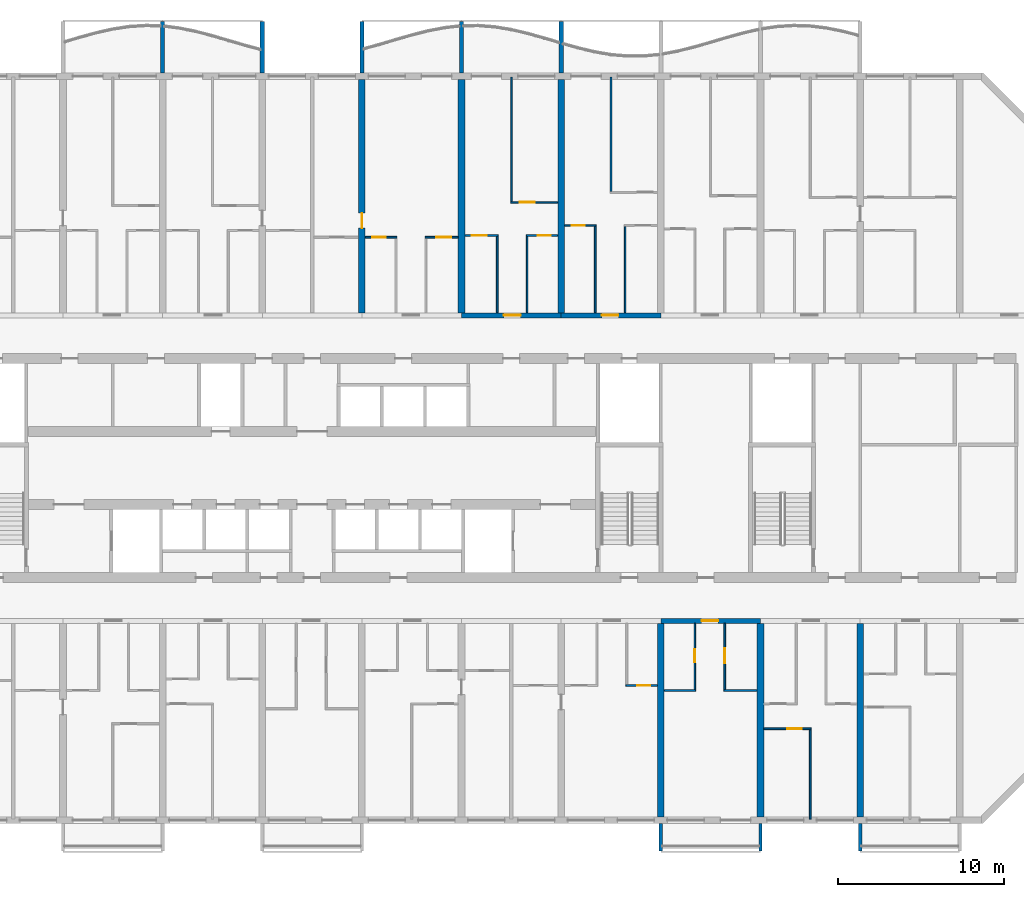
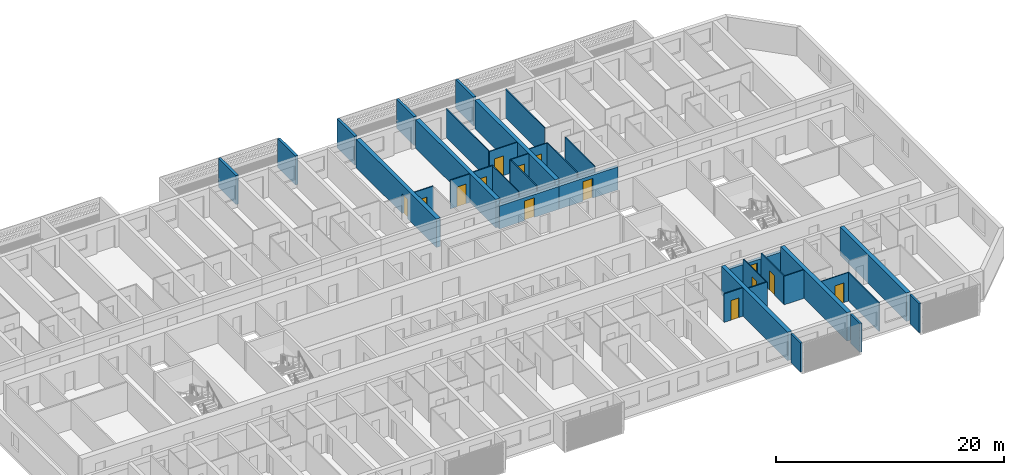
# One storey, part 13 of 39: 36 walls, 14 doors, 14 openings.
"""IFC4 building model written with IfcOpenShell, lengths in metres."""

from ifc_helpers import new_model, si_unit, direction, frame, frame_2d, origin, place, context, subcontext, project, spatial, polyline, rectangle, outline, extrude, source, transform, mapped, material, layer, layer_set, type_object, element, fill, save


model = new_model("IFC4")

# Units and contexts
model_context = context("Model", 3, precision=1e-05, world=origin(), true_north=direction((0.0, 1.0)))
body_context = subcontext(model_context, "Body", "Model", "MODEL_VIEW")
ifc_project = project(units=[si_unit("LENGTHUNIT", "METRE"), si_unit("AREAUNIT", "SQUARE_METRE"), si_unit("VOLUMEUNIT", "CUBIC_METRE"), si_unit("PLANEANGLEUNIT", "RADIAN"), si_unit("MASSUNIT", "GRAM", prefix="KILO")], contexts=[model_context])

# Site, building, storey
site_placement = place(None, origin())
site = spatial("IfcSite", under=ifc_project, at=site_placement, CompositionType="ELEMENT")
building_placement = place(site_placement, origin())
building = spatial("IfcBuilding", under=site, at=building_placement, Name="Poui Terraces", CompositionType="ELEMENT")
storey_placement = place(building_placement, frame((0.0, 0.0, 59.699951171875)))
storey = spatial("IfcBuildingStorey", under=building, at=storey_placement, Name="L16", CompositionType="ELEMENT", Elevation=59.699951171875)

# Wall, opening, door
ifc_material_1 = material(Name="Concrete 80 MPa", Category="concrete")
ifc_layer_1 = layer(ifc_material_1, 0.300048828125)
ifc_layer_set_1 = layer_set([ifc_layer_1], Name="Concrete 80 MPa")
wall_type_1 = type_object("IfcWallType", Name="CORRIDOR WALL 300 80MPa", PredefinedType="SHEAR", material=ifc_layer_set_1)
wall_1_placement = place(storey_placement, frame((72.0, 12.0, 0.0), z_axis=(0.0, 0.0, 1.0), x_axis=(1.0, 0.0, 0.0)))
wall_1 = element("IfcWall", 1, at=wall_1_placement, inside=storey, type_object=wall_type_1, Name="CORRIDOR WALL LINE B BAY 12", PredefinedType="SHEAR", context=body_context, shape_type="SweptSolid", body=[
    extrude(rectangle(XDim=6.0, YDim=0.300048828125, at=frame_2d((3.0, 0.0))), origin(), (0.0, 0.0, 1.0), 2.449951171875),
])
opening_1_placement = place(wall_1_placement, frame((2.449951171875, 0.0, 0.0)))
opening_1 = element("IfcOpeningElement", 2, at=opening_1_placement, cuts=wall_1, Name="Opening FD30S", PredefinedType="OPENING", context=body_context, shape_type="SweptSolid", body=[
    extrude(rectangle(XDim=1.0, YDim=2.10009765625, at=frame_2d((0.5, 1.050048828125))), frame((0.0, 0.16015625, 0.0), z_axis=(0.0, -1.0, 0.0), x_axis=(1.0, 0.0, 0.0)), (0.0, 0.0, 1.0), 0.320068359375),
])
ifc_material_2 = material(Name="Steel fire door", Category="steel")
door_type_1 = type_object("IfcDoorType", Name="FLAT ENTRANCE DOOR 1000 X 2100", OperationType="NOTDEFINED", PredefinedType="DOOR", material=ifc_material_2)
door_1_placement = place(opening_1_placement, frame((1.0, 0.0, 0.0), z_axis=(0.0, 0.0, 1.0), x_axis=(-1.0, 0.0, 0.0)))
door_1 = element("IfcDoor", 3, at=door_1_placement, inside=storey, type_object=door_type_1, Name="FLAT ENTRANCE DOOR 124", OperationType="SINGLE_SWING_RIGHT", OverallHeight=2.10009765625, OverallWidth=1.0, PredefinedType="DOOR", context=body_context, shape_type="SweptSolid", body=[
    extrude(rectangle(XDim=1.0, YDim=2.10009765625, at=frame_2d((0.5, 1.050048828125))), frame((0.0, 0.02490234375, 0.0), z_axis=(0.0, -1.0, 0.0), x_axis=(1.0, 0.0, 0.0)), (0.0, 0.0, 1.0), 0.050048828125),
])
fill(opening_1, door_1)

wall_2_placement = place(storey_placement, frame((60.0, 30.39990234375, 0.0), z_axis=(0.0, 0.0, 1.0), x_axis=(1.0, 0.0, 0.0)))
wall_2 = element("IfcWall", 4, at=wall_2_placement, inside=storey, type_object=wall_type_1, Name="CORRIDOR WALL LINE E BAY 10", PredefinedType="SHEAR", context=body_context, shape_type="SweptSolid", body=[
    extrude(rectangle(XDim=6.0, YDim=0.300048828125, at=frame_2d((3.0, 0.0))), origin(), (0.0, 0.0, 1.0), 2.449951171875),
])
opening_2_placement = place(wall_2_placement, frame((2.550048828125, 0.0, 0.0)))
opening_2 = element("IfcOpeningElement", 5, at=opening_2_placement, cuts=wall_2, Name="Opening FD30S", PredefinedType="OPENING", context=body_context, shape_type="SweptSolid", body=[
    extrude(rectangle(XDim=1.0, YDim=2.10009765625, at=frame_2d((0.5, 1.050048828125))), frame((0.0, 0.16015625, 0.0), z_axis=(0.0, -1.0, 0.0), x_axis=(1.0, 0.0, 0.0)), (0.0, 0.0, 1.0), 0.320068359375),
])
door_2_placement = place(opening_2_placement, origin())
door_2 = element("IfcDoor", 6, at=door_2_placement, inside=storey, type_object=door_type_1, Name="FLAT ENTRANCE DOOR 064", OperationType="SINGLE_SWING_RIGHT", OverallHeight=2.10009765625, OverallWidth=1.0, PredefinedType="DOOR", context=body_context, shape_type="SweptSolid", body=[
    extrude(rectangle(XDim=1.0, YDim=2.10009765625, at=frame_2d((0.5, 1.050048828125))), frame((0.0, 0.02490234375, 0.0), z_axis=(0.0, -1.0, 0.0), x_axis=(1.0, 0.0, 0.0)), (0.0, 0.0, 1.0), 0.050048828125),
])
fill(opening_2, door_2)

wall_3_placement = place(storey_placement, frame((66.0, 30.39990234375, 0.0), z_axis=(0.0, 0.0, 1.0), x_axis=(1.0, 0.0, 0.0)))
wall_3 = element("IfcWall", 7, at=wall_3_placement, inside=storey, type_object=wall_type_1, Name="CORRIDOR WALL LINE E BAY 11", PredefinedType="SHEAR", context=body_context, shape_type="SweptSolid", body=[
    extrude(rectangle(XDim=6.0, YDim=0.300048828125, at=frame_2d((3.0, 0.0))), origin(), (0.0, 0.0, 1.0), 2.449951171875),
])
opening_3_placement = place(wall_3_placement, frame((2.449951171875, 0.0, 0.0)))
opening_3 = element("IfcOpeningElement", 8, at=opening_3_placement, cuts=wall_3, Name="Opening FD30S", PredefinedType="OPENING", context=body_context, shape_type="SweptSolid", body=[
    extrude(rectangle(XDim=1.0, YDim=2.10009765625, at=frame_2d((0.5, 1.050048828125))), frame((0.0, 0.16015625, 0.0), z_axis=(0.0, -1.0, 0.0), x_axis=(1.0, 0.0, 0.0)), (0.0, 0.0, 1.0), 0.320068359375),
])
door_3_placement = place(opening_3_placement, origin())
door_3 = element("IfcDoor", 9, at=door_3_placement, inside=storey, type_object=door_type_1, Name="FLAT ENTRANCE DOOR 068", OperationType="SINGLE_SWING_LEFT", OverallHeight=2.10009765625, OverallWidth=1.0, PredefinedType="DOOR", context=body_context, shape_type="SweptSolid", body=[
    extrude(rectangle(XDim=1.0, YDim=2.10009765625, at=frame_2d((0.5, 1.050048828125))), frame((0.0, 0.02490234375, 0.0), z_axis=(0.0, -1.0, 0.0), x_axis=(1.0, 0.0, 0.0)), (0.0, 0.0, 1.0), 0.050048828125),
])
fill(opening_3, door_3)

ifc_layer_2 = layer(ifc_material_1, 0.39990234375)
ifc_layer_set_2 = layer_set([ifc_layer_2], Name="Concrete 80 MPa")
wall_type_2 = type_object("IfcWallType", Name="CROSS WALL 400 80MPa", PredefinedType="SHEAR", material=ifc_layer_set_2)
wall_4_placement = place(storey_placement, frame((54.0, 30.550048828125, 0.0), z_axis=(0.0, 0.0, 1.0), x_axis=(0.0, 1.0, 0.0)))
wall_4 = element("IfcWall", 10, at=wall_4_placement, inside=storey, type_object=wall_type_2, Name="CROSS WALL LINE 10 NORTH", PredefinedType="SHEAR", context=body_context, shape_type="SweptSolid", body=[
    extrude(rectangle(XDim=14.050048828125, YDim=0.39990234375, at=frame_2d((7.02490234375, 0.0))), origin(), (0.0, 0.0, 1.0), 3.050048828125),
])
opening_4_placement = place(wall_4_placement, frame((5.10009765625, 0.0, 0.0)))
opening_4 = element("IfcOpeningElement", 11, at=opening_4_placement, cuts=wall_4, Name="Opening D90", PredefinedType="OPENING", context=body_context, shape_type="SweptSolid", body=[
    extrude(rectangle(XDim=0.89990234375, YDim=2.10009765625, at=frame_2d((0.449951171875, 1.050048828125))), frame((0.0, 0.2099609375, 0.0), z_axis=(0.0, -1.0, 0.0), x_axis=(1.0, 0.0, 0.0)), (0.0, 0.0, 1.0), 0.419921875),
])
ifc_material_3 = material(Name="Solid core timber door", Category="wood")
door_type_2 = type_object("IfcDoorType", Name="INTERNAL DOOR 900 X 2100", OperationType="NOTDEFINED", PredefinedType="DOOR", material=ifc_material_3)
door_4_placement = place(opening_4_placement, origin())
door_4 = element("IfcDoor", 12, at=door_4_placement, inside=storey, type_object=door_type_2, Name="INTERNAL DOOR 059", OperationType="SINGLE_SWING_LEFT", OverallHeight=2.10009765625, OverallWidth=0.89990234375, PredefinedType="DOOR", context=body_context, shape_type="SweptSolid", body=[
    extrude(rectangle(XDim=0.89990234375, YDim=2.10009765625, at=frame_2d((0.449951171875, 1.050048828125))), frame((0.0, 0.02490234375, 0.0), z_axis=(0.0, -1.0, 0.0), x_axis=(1.0, 0.0, 0.0)), (0.0, 0.0, 1.0), 0.050048828125),
])
fill(opening_4, door_4)

# Walls
for number, where, z_axis, x_axis, name in (
    (13, (60.0, 30.550048828125, 0.0), (0.0, 0.0, 1.0), (0.0, 1.0, 0.0), "CROSS WALL LINE 11 NORTH"),
    (14, (66.0, 30.550048828125, 0.0), (0.0, 0.0, 1.0), (0.0, 1.0, 0.0), "CROSS WALL LINE 12 NORTH"),
):
    element("IfcWall", number, at=place(storey_placement, frame(where, z_axis=z_axis, x_axis=x_axis)), inside=storey, type_object=wall_type_2, Name=name, PredefinedType="SHEAR", context=body_context, shape_type="SweptSolid", body=[
        extrude(rectangle(XDim=14.050048828125, YDim=0.39990234375, at=frame_2d((7.02490234375, 0.0))), origin(), (0.0, 0.0, 1.0), 3.050048828125),
    ])
for number, where, z_axis, x_axis, name in (
    (15, (72.0, 0.199951171875, 0.0), (0.0, 0.0, 1.0), (0.0, 1.0, 0.0), "CROSS WALL LINE 13 SOUTH"),
    (16, (78.0, 0.199951171875, 0.0), (0.0, 0.0, 1.0), (0.0, 1.0, 0.0), "CROSS WALL LINE 14 SOUTH"),
    (17, (84.0, 0.199951171875, 0.0), (0.0, 0.0, 1.0), (0.0, 1.0, 0.0), "CROSS WALL LINE 15 SOUTH"),
):
    element("IfcWall", number, at=place(storey_placement, frame(where, z_axis=z_axis, x_axis=x_axis)), inside=storey, type_object=wall_type_2, Name=name, PredefinedType="SHEAR", context=body_context, shape_type="SweptSolid", body=[
        extrude(rectangle(XDim=11.650146484375, YDim=0.39990234375, at=frame_2d((5.8251953125, 0.0))), origin(), (0.0, 0.0, 1.0), 3.050048828125),
    ])

# Wall, opening, door
ifc_material_4 = material(Name="Plasterboard partition")
ifc_layer_3 = layer(ifc_material_4, 0.10009765625)
ifc_layer_set_3 = layer_set([ifc_layer_3], Name="Plasterboard partition")
wall_type_3 = type_object("IfcWallType", Name="FLAT PARTITION 100", PredefinedType="PARTITIONING", material=ifc_layer_set_3)
wall_5_placement = place(storey_placement, frame((78.2099609375, 5.5, 0.0), z_axis=(0.0, 0.0, 1.0), x_axis=(1.0, 0.0, 0.0)))
wall_5 = element("IfcWall", 18, at=wall_5_placement, inside=storey, type_object=wall_type_3, Name="FLAT PARTITION 100", PredefinedType="PARTITIONING", context=body_context, shape_type="SweptSolid", body=[
    extrude(rectangle(XDim=2.840087890625, YDim=0.10009765625, at=frame_2d((1.419921875, 0.0))), origin(), (0.0, 0.0, 1.0), 3.050048828125),
])
opening_5_placement = place(wall_5_placement, frame((1.389892578125, 0.0, 0.0)))
opening_5 = element("IfcOpeningElement", 19, at=opening_5_placement, cuts=wall_5, Name="Opening D90", PredefinedType="OPENING", context=body_context, shape_type="SweptSolid", body=[
    extrude(rectangle(XDim=0.89990234375, YDim=2.10009765625, at=frame_2d((0.449951171875, 1.050048828125))), frame((0.0, 0.06005859375, 0.0), z_axis=(0.0, -1.0, 0.0), x_axis=(1.0, 0.0, 0.0)), (0.0, 0.0, 1.0), 0.1201171875),
])
door_5_placement = place(opening_5_placement, origin())
door_5 = element("IfcDoor", 20, at=door_5_placement, inside=storey, type_object=door_type_2, Name="INTERNAL DOOR 127", OperationType="SINGLE_SWING_LEFT", OverallHeight=2.10009765625, OverallWidth=0.89990234375, PredefinedType="DOOR", context=body_context, shape_type="SweptSolid", body=[
    extrude(rectangle(XDim=0.89990234375, YDim=2.10009765625, at=frame_2d((0.449951171875, 1.050048828125))), frame((0.0, 0.02490234375, 0.0), z_axis=(0.0, -1.0, 0.0), x_axis=(1.0, 0.0, 0.0)), (0.0, 0.0, 1.0), 0.050048828125),
])
fill(opening_5, door_5)

# Walls
wall_6_placement = place(storey_placement, frame((72.2099609375, 7.800048828125, 0.0), z_axis=(0.0, 0.0, 1.0), x_axis=(1.0, 0.0, 0.0)))
element("IfcWall", 21, at=wall_6_placement, inside=storey, type_object=wall_type_3, Name="FLAT PARTITION 100", PredefinedType="PARTITIONING", context=body_context, shape_type="SweptSolid", body=[
    extrude(rectangle(XDim=1.89013671875, YDim=0.10009765625, at=frame_2d((0.945068359375, 0.0))), origin(), (0.0, 0.0, 1.0), 3.050048828125),
])
wall_7_placement = place(storey_placement, frame((75.800048828125, 7.800048828125, 0.0), z_axis=(0.0, 0.0, 1.0), x_axis=(1.0, 0.0, 0.0)))
element("IfcWall", 22, at=wall_7_placement, inside=storey, type_object=wall_type_3, Name="FLAT PARTITION 100", PredefinedType="PARTITIONING", context=body_context, shape_type="SweptSolid", body=[
    extrude(rectangle(XDim=1.989990234375, YDim=0.10009765625, at=frame_2d((0.9951171875, 0.0))), origin(), (0.0, 0.0, 1.0), 3.050048828125),
])

# Wall, opening, door
wall_8_placement = place(storey_placement, frame((69.89990234375, 8.10009765625, 0.0), z_axis=(0.0, 0.0, 1.0), x_axis=(1.0, 0.0, 0.0)))
wall_8 = element("IfcWall", 23, at=wall_8_placement, inside=storey, type_object=wall_type_3, Name="FLAT PARTITION 100", PredefinedType="PARTITIONING", context=body_context, shape_type="SweptSolid", body=[
    extrude(rectangle(XDim=1.89013671875, YDim=0.10009765625, at=frame_2d((0.945068359375, 0.0))), origin(), (0.0, 0.0, 1.0), 3.050048828125),
])
opening_6_placement = place(wall_8_placement, frame((0.675048828125, 0.0, 0.0)))
opening_6 = element("IfcOpeningElement", 24, at=opening_6_placement, cuts=wall_8, Name="Opening D80", PredefinedType="OPENING", context=body_context, shape_type="SweptSolid", body=[
    extrude(rectangle(XDim=0.800048828125, YDim=2.10009765625, at=frame_2d((0.39990234375, 1.050048828125))), frame((0.0, 0.06005859375, 0.0), z_axis=(0.0, -1.0, 0.0), x_axis=(1.0, 0.0, 0.0)), (0.0, 0.0, 1.0), 0.1201171875),
])
door_type_3 = type_object("IfcDoorType", Name="BATHROOM, LAUNDRY AND STORE DOOR 800 X 2100", OperationType="NOTDEFINED", PredefinedType="DOOR", material=ifc_material_3)
door_6_placement = place(opening_6_placement, origin())
door_6 = element("IfcDoor", 25, at=door_6_placement, inside=storey, type_object=door_type_3, Name="BATHROOM, LAUNDRY AND STORE DOOR 122", OperationType="SINGLE_SWING_RIGHT", OverallHeight=2.10009765625, OverallWidth=0.800048828125, PredefinedType="DOOR", context=body_context, shape_type="SweptSolid", body=[
    extrude(rectangle(XDim=0.800048828125, YDim=2.10009765625, at=frame_2d((0.39990234375, 1.050048828125))), frame((0.0, 0.02490234375, 0.0), z_axis=(0.0, -1.0, 0.0), x_axis=(1.0, 0.0, 0.0)), (0.0, 0.0, 1.0), 0.050048828125),
])
fill(opening_6, door_6)

wall_9_placement = place(storey_placement, frame((54.2099609375, 35.10009765625, 0.0), z_axis=(0.0, 0.0, 1.0), x_axis=(1.0, 0.0, 0.0)))
wall_9 = element("IfcWall", 26, at=wall_9_placement, inside=storey, type_object=wall_type_3, Name="FLAT PARTITION 100", PredefinedType="PARTITIONING", context=body_context, shape_type="SweptSolid", body=[
    extrude(rectangle(XDim=1.89013671875, YDim=0.10009765625, at=frame_2d((0.945068359375, 0.0))), origin(), (0.0, 0.0, 1.0), 3.050048828125),
])
opening_7_placement = place(wall_9_placement, frame((0.4150390625, 0.0, 0.0)))
opening_7 = element("IfcOpeningElement", 27, at=opening_7_placement, cuts=wall_9, Name="Opening D80", PredefinedType="OPENING", context=body_context, shape_type="SweptSolid", body=[
    extrude(rectangle(XDim=0.800048828125, YDim=2.10009765625, at=frame_2d((0.39990234375, 1.050048828125))), frame((0.0, 0.06005859375, 0.0), z_axis=(0.0, -1.0, 0.0), x_axis=(1.0, 0.0, 0.0)), (0.0, 0.0, 1.0), 0.1201171875),
])
door_7_placement = place(opening_7_placement, frame((0.800048828125, 0.0, 0.0), z_axis=(0.0, 0.0, 1.0), x_axis=(-1.0, 0.0, 0.0)))
door_7 = element("IfcDoor", 28, at=door_7_placement, inside=storey, type_object=door_type_3, Name="BATHROOM, LAUNDRY AND STORE DOOR 060", OperationType="SINGLE_SWING_LEFT", OverallHeight=2.10009765625, OverallWidth=0.800048828125, PredefinedType="DOOR", context=body_context, shape_type="SweptSolid", body=[
    extrude(rectangle(XDim=0.800048828125, YDim=2.10009765625, at=frame_2d((0.39990234375, 1.050048828125))), frame((0.0, 0.02490234375, 0.0), z_axis=(0.0, -1.0, 0.0), x_axis=(1.0, 0.0, 0.0)), (0.0, 0.0, 1.0), 0.050048828125),
])
fill(opening_7, door_7)

wall_10_placement = place(storey_placement, frame((57.800048828125, 35.10009765625, 0.0), z_axis=(0.0, 0.0, 1.0), x_axis=(1.0, 0.0, 0.0)))
wall_10 = element("IfcWall", 29, at=wall_10_placement, inside=storey, type_object=wall_type_3, Name="FLAT PARTITION 100", PredefinedType="PARTITIONING", context=body_context, shape_type="SweptSolid", body=[
    extrude(rectangle(XDim=1.989990234375, YDim=0.10009765625, at=frame_2d((0.9951171875, 0.0))), origin(), (0.0, 0.0, 1.0), 3.050048828125),
])
opening_8_placement = place(wall_10_placement, frame((0.675048828125, 0.0, 0.0)))
opening_8 = element("IfcOpeningElement", 30, at=opening_8_placement, cuts=wall_10, Name="Opening D90", PredefinedType="OPENING", context=body_context, shape_type="SweptSolid", body=[
    extrude(rectangle(XDim=0.89990234375, YDim=2.10009765625, at=frame_2d((0.449951171875, 1.050048828125))), frame((0.0, 0.06005859375, 0.0), z_axis=(0.0, -1.0, 0.0), x_axis=(1.0, 0.0, 0.0)), (0.0, 0.0, 1.0), 0.1201171875),
])
door_8_placement = place(opening_8_placement, frame((0.89990234375, 0.0, 0.0), z_axis=(0.0, 0.0, 1.0), x_axis=(-1.0, 0.0, 0.0)))
door_8 = element("IfcDoor", 31, at=door_8_placement, inside=storey, type_object=door_type_2, Name="INTERNAL DOOR 062", OperationType="SINGLE_SWING_RIGHT", OverallHeight=2.10009765625, OverallWidth=0.89990234375, PredefinedType="DOOR", context=body_context, shape_type="SweptSolid", body=[
    extrude(rectangle(XDim=0.89990234375, YDim=2.10009765625, at=frame_2d((0.449951171875, 1.050048828125))), frame((0.0, 0.02490234375, 0.0), z_axis=(0.0, -1.0, 0.0), x_axis=(1.0, 0.0, 0.0)), (0.0, 0.0, 1.0), 0.050048828125),
])
fill(opening_8, door_8)

wall_11_placement = place(storey_placement, frame((60.2099609375, 35.199951171875, 0.0), z_axis=(0.0, 0.0, 1.0), x_axis=(1.0, 0.0, 0.0)))
wall_11 = element("IfcWall", 32, at=wall_11_placement, inside=storey, type_object=wall_type_3, Name="FLAT PARTITION 100", PredefinedType="PARTITIONING", context=body_context, shape_type="SweptSolid", body=[
    extrude(rectangle(XDim=1.989990234375, YDim=0.10009765625, at=frame_2d((0.9951171875, 0.0))), origin(), (0.0, 0.0, 1.0), 3.050048828125),
])
opening_9_placement = place(wall_11_placement, frame((0.4150390625, 0.0, 0.0)))
opening_9 = element("IfcOpeningElement", 33, at=opening_9_placement, cuts=wall_11, Name="Opening D90", PredefinedType="OPENING", context=body_context, shape_type="SweptSolid", body=[
    extrude(rectangle(XDim=0.89990234375, YDim=2.10009765625, at=frame_2d((0.449951171875, 1.050048828125))), frame((0.0, 0.06005859375, 0.0), z_axis=(0.0, -1.0, 0.0), x_axis=(1.0, 0.0, 0.0)), (0.0, 0.0, 1.0), 0.1201171875),
])
door_9_placement = place(opening_9_placement, frame((0.89990234375, 0.0, 0.0), z_axis=(0.0, 0.0, 1.0), x_axis=(-1.0, 0.0, 0.0)))
door_9 = element("IfcDoor", 34, at=door_9_placement, inside=storey, type_object=door_type_2, Name="INTERNAL DOOR 063", OperationType="SINGLE_SWING_LEFT", OverallHeight=2.10009765625, OverallWidth=0.89990234375, PredefinedType="DOOR", context=body_context, shape_type="SweptSolid", body=[
    extrude(rectangle(XDim=0.89990234375, YDim=2.10009765625, at=frame_2d((0.449951171875, 1.050048828125))), frame((0.0, 0.02490234375, 0.0), z_axis=(0.0, -1.0, 0.0), x_axis=(1.0, 0.0, 0.0)), (0.0, 0.0, 1.0), 0.050048828125),
])
fill(opening_9, door_9)

wall_12_placement = place(storey_placement, frame((63.89990234375, 35.199951171875, 0.0), z_axis=(0.0, 0.0, 1.0), x_axis=(1.0, 0.0, 0.0)))
wall_12 = element("IfcWall", 35, at=wall_12_placement, inside=storey, type_object=wall_type_3, Name="FLAT PARTITION 100", PredefinedType="PARTITIONING", context=body_context, shape_type="SweptSolid", body=[
    extrude(rectangle(XDim=1.89013671875, YDim=0.10009765625, at=frame_2d((0.945068359375, 0.0))), origin(), (0.0, 0.0, 1.0), 3.050048828125),
])
opening_10_placement = place(wall_12_placement, frame((0.675048828125, 0.0, 0.0)))
opening_10 = element("IfcOpeningElement", 36, at=opening_10_placement, cuts=wall_12, Name="Opening D80", PredefinedType="OPENING", context=body_context, shape_type="SweptSolid", body=[
    extrude(rectangle(XDim=0.800048828125, YDim=2.10009765625, at=frame_2d((0.39990234375, 1.050048828125))), frame((0.0, 0.06005859375, 0.0), z_axis=(0.0, -1.0, 0.0), x_axis=(1.0, 0.0, 0.0)), (0.0, 0.0, 1.0), 0.1201171875),
])
door_10_placement = place(opening_10_placement, frame((0.800048828125, 0.0, 0.0), z_axis=(0.0, 0.0, 1.0), x_axis=(-1.0, 0.0, 0.0)))
door_10 = element("IfcDoor", 37, at=door_10_placement, inside=storey, type_object=door_type_3, Name="BATHROOM, LAUNDRY AND STORE DOOR 066", OperationType="SINGLE_SWING_RIGHT", OverallHeight=2.10009765625, OverallWidth=0.800048828125, PredefinedType="DOOR", context=body_context, shape_type="SweptSolid", body=[
    extrude(rectangle(XDim=0.800048828125, YDim=2.10009765625, at=frame_2d((0.39990234375, 1.050048828125))), frame((0.0, 0.02490234375, 0.0), z_axis=(0.0, -1.0, 0.0), x_axis=(1.0, 0.0, 0.0)), (0.0, 0.0, 1.0), 0.050048828125),
])
fill(opening_10, door_10)

wall_13_placement = place(storey_placement, frame((66.2099609375, 35.800048828125, 0.0), z_axis=(0.0, 0.0, 1.0), x_axis=(1.0, 0.0, 0.0)))
wall_13 = element("IfcWall", 38, at=wall_13_placement, inside=storey, type_object=wall_type_3, Name="FLAT PARTITION 100", PredefinedType="PARTITIONING", context=body_context, shape_type="SweptSolid", body=[
    extrude(rectangle(XDim=1.89013671875, YDim=0.10009765625, at=frame_2d((0.945068359375, 0.0))), origin(), (0.0, 0.0, 1.0), 3.050048828125),
])
opening_11_placement = place(wall_13_placement, frame((0.4150390625, 0.0, 0.0)))
opening_11 = element("IfcOpeningElement", 39, at=opening_11_placement, cuts=wall_13, Name="Opening D80", PredefinedType="OPENING", context=body_context, shape_type="SweptSolid", body=[
    extrude(rectangle(XDim=0.800048828125, YDim=2.10009765625, at=frame_2d((0.39990234375, 1.050048828125))), frame((0.0, 0.06005859375, 0.0), z_axis=(0.0, -1.0, 0.0), x_axis=(1.0, 0.0, 0.0)), (0.0, 0.0, 1.0), 0.1201171875),
])
door_11_placement = place(opening_11_placement, frame((0.800048828125, 0.0, 0.0), z_axis=(0.0, 0.0, 1.0), x_axis=(-1.0, 0.0, 0.0)))
door_11 = element("IfcDoor", 40, at=door_11_placement, inside=storey, type_object=door_type_3, Name="BATHROOM, LAUNDRY AND STORE DOOR 067", OperationType="SINGLE_SWING_RIGHT", OverallHeight=2.10009765625, OverallWidth=0.800048828125, PredefinedType="DOOR", context=body_context, shape_type="SweptSolid", body=[
    extrude(rectangle(XDim=0.800048828125, YDim=2.10009765625, at=frame_2d((0.39990234375, 1.050048828125))), frame((0.0, 0.02490234375, 0.0), z_axis=(0.0, -1.0, 0.0), x_axis=(1.0, 0.0, 0.0)), (0.0, 0.0, 1.0), 0.050048828125),
])
fill(opening_11, door_11)

wall_14_placement = place(storey_placement, frame((62.949951171875, 37.199951171875, 0.0), z_axis=(0.0, 0.0, 1.0), x_axis=(1.0, 0.0, 0.0)))
wall_14 = element("IfcWall", 41, at=wall_14_placement, inside=storey, type_object=wall_type_3, Name="FLAT PARTITION 100", PredefinedType="PARTITIONING", context=body_context, shape_type="SweptSolid", body=[
    extrude(rectangle(XDim=2.840087890625, YDim=0.10009765625, at=frame_2d((1.419921875, 0.0))), origin(), (0.0, 0.0, 1.0), 3.050048828125),
])
opening_12_placement = place(wall_14_placement, frame((0.550048828125, 0.0, 0.0)))
opening_12 = element("IfcOpeningElement", 42, at=opening_12_placement, cuts=wall_14, Name="Opening D90", PredefinedType="OPENING", context=body_context, shape_type="SweptSolid", body=[
    extrude(rectangle(XDim=0.89990234375, YDim=2.10009765625, at=frame_2d((0.449951171875, 1.050048828125))), frame((0.0, 0.06005859375, 0.0), z_axis=(0.0, -1.0, 0.0), x_axis=(1.0, 0.0, 0.0)), (0.0, 0.0, 1.0), 0.1201171875),
])
door_12_placement = place(opening_12_placement, frame((0.89990234375, 0.0, 0.0), z_axis=(0.0, 0.0, 1.0), x_axis=(-1.0, 0.0, 0.0)))
door_12 = element("IfcDoor", 43, at=door_12_placement, inside=storey, type_object=door_type_2, Name="INTERNAL DOOR 065", OperationType="SINGLE_SWING_LEFT", OverallHeight=2.10009765625, OverallWidth=0.89990234375, PredefinedType="DOOR", context=body_context, shape_type="SweptSolid", body=[
    extrude(rectangle(XDim=0.89990234375, YDim=2.10009765625, at=frame_2d((0.449951171875, 1.050048828125))), frame((0.0, 0.02490234375, 0.0), z_axis=(0.0, -1.0, 0.0), x_axis=(1.0, 0.0, 0.0)), (0.0, 0.0, 1.0), 0.050048828125),
])
fill(opening_12, door_12)

# Walls
wall_15_placement = place(storey_placement, frame((62.14990234375, 30.56005859375, 0.0), z_axis=(0.0, 0.0, 1.0), x_axis=(0.0, 1.0, 0.0)))
element("IfcWall", 44, at=wall_15_placement, inside=storey, type_object=wall_type_3, Name="FLAT PARTITION 100", PredefinedType="PARTITIONING", context=body_context, shape_type="SweptSolid", body=[
    extrude(rectangle(XDim=4.58984375, YDim=0.10009765625, at=frame_2d((2.294921875, 0.0))), origin(), (0.0, 0.0, 1.0), 3.050048828125),
])
wall_16_placement = place(storey_placement, frame((63.0, 37.25, 0.0), z_axis=(0.0, 0.0, 1.0), x_axis=(0.0, 1.0, 0.0)))
element("IfcWall", 45, at=wall_16_placement, inside=storey, type_object=wall_type_3, Name="FLAT PARTITION 100", PredefinedType="PARTITIONING", context=body_context, shape_type="SweptSolid", body=[
    extrude(rectangle(XDim=7.489990234375, YDim=0.10009765625, at=frame_2d((3.7451171875, 0.0))), origin(), (0.0, 0.0, 1.0), 3.050048828125),
])
wall_17_placement = place(storey_placement, frame((63.949951171875, 30.56005859375, 0.0), z_axis=(0.0, 0.0, 1.0), x_axis=(0.0, 1.0, 0.0)))
element("IfcWall", 46, at=wall_17_placement, inside=storey, type_object=wall_type_3, Name="FLAT PARTITION 100", PredefinedType="PARTITIONING", context=body_context, shape_type="SweptSolid", body=[
    extrude(rectangle(XDim=4.58984375, YDim=0.10009765625, at=frame_2d((2.294921875, 0.0))), origin(), (0.0, 0.0, 1.0), 3.050048828125),
])
wall_18_placement = place(storey_placement, frame((68.050048828125, 30.56005859375, 0.0), z_axis=(0.0, 0.0, 1.0), x_axis=(0.0, 1.0, 0.0)))
element("IfcWall", 47, at=wall_18_placement, inside=storey, type_object=wall_type_3, Name="FLAT PARTITION 100", PredefinedType="PARTITIONING", context=body_context, shape_type="SweptSolid", body=[
    extrude(rectangle(XDim=5.18994140625, YDim=0.10009765625, at=frame_2d((2.594970703125, 0.0))), origin(), (0.0, 0.0, 1.0), 3.050048828125),
])
wall_19_placement = place(storey_placement, frame((69.0, 37.85009765625, 0.0), z_axis=(0.0, 0.0, 1.0), x_axis=(0.0, 1.0, 0.0)))
element("IfcWall", 48, at=wall_19_placement, inside=storey, type_object=wall_type_3, Name="FLAT PARTITION 100", PredefinedType="PARTITIONING", context=body_context, shape_type="SweptSolid", body=[
    extrude(rectangle(XDim=6.889892578125, YDim=0.10009765625, at=frame_2d((3.44482421875, 0.0))), origin(), (0.0, 0.0, 1.0), 3.050048828125),
])
wall_20_placement = place(storey_placement, frame((69.85009765625, 30.56005859375, 0.0), z_axis=(0.0, 0.0, 1.0), x_axis=(0.0, 1.0, 0.0)))
element("IfcWall", 49, at=wall_20_placement, inside=storey, type_object=wall_type_3, Name="FLAT PARTITION 100", PredefinedType="PARTITIONING", context=body_context, shape_type="SweptSolid", body=[
    extrude(rectangle(XDim=5.18994140625, YDim=0.10009765625, at=frame_2d((2.594970703125, 0.0))), origin(), (0.0, 0.0, 1.0), 3.050048828125),
])

# Wall, opening, door
wall_21_placement = place(storey_placement, frame((74.050048828125, 7.85009765625, 0.0), z_axis=(0.0, 0.0, 1.0), x_axis=(0.0, 1.0, 0.0)))
wall_21 = element("IfcWall", 50, at=wall_21_placement, inside=storey, type_object=wall_type_3, Name="FLAT PARTITION 100", PredefinedType="PARTITIONING", context=body_context, shape_type="SweptSolid", body=[
    extrude(rectangle(XDim=3.989990234375, YDim=0.10009765625, at=frame_2d((1.9951171875, 0.0))), origin(), (0.0, 0.0, 1.0), 3.050048828125),
])
opening_13_placement = place(wall_21_placement, frame((1.64990234375, 0.0, 0.0)))
opening_13 = element("IfcOpeningElement", 51, at=opening_13_placement, cuts=wall_21, Name="Opening D80", PredefinedType="OPENING", context=body_context, shape_type="SweptSolid", body=[
    extrude(rectangle(XDim=0.800048828125, YDim=2.10009765625, at=frame_2d((0.39990234375, 1.050048828125))), frame((0.0, 0.06005859375, 0.0), z_axis=(0.0, -1.0, 0.0), x_axis=(1.0, 0.0, 0.0)), (0.0, 0.0, 1.0), 0.1201171875),
])
door_13_placement = place(opening_13_placement, origin())
door_13 = element("IfcDoor", 52, at=door_13_placement, inside=storey, type_object=door_type_3, Name="BATHROOM, LAUNDRY AND STORE DOOR 123", OperationType="SINGLE_SWING_RIGHT", OverallHeight=2.10009765625, OverallWidth=0.800048828125, PredefinedType="DOOR", context=body_context, shape_type="SweptSolid", body=[
    extrude(rectangle(XDim=0.800048828125, YDim=2.10009765625, at=frame_2d((0.39990234375, 1.050048828125))), frame((0.0, 0.02490234375, 0.0), z_axis=(0.0, -1.0, 0.0), x_axis=(1.0, 0.0, 0.0)), (0.0, 0.0, 1.0), 0.050048828125),
])
fill(opening_13, door_13)

wall_22_placement = place(storey_placement, frame((75.85009765625, 7.85009765625, 0.0), z_axis=(0.0, 0.0, 1.0), x_axis=(0.0, 1.0, 0.0)))
wall_22 = element("IfcWall", 53, at=wall_22_placement, inside=storey, type_object=wall_type_3, Name="FLAT PARTITION 100", PredefinedType="PARTITIONING", context=body_context, shape_type="SweptSolid", body=[
    extrude(rectangle(XDim=3.989990234375, YDim=0.10009765625, at=frame_2d((1.9951171875, 0.0))), origin(), (0.0, 0.0, 1.0), 3.050048828125),
])
opening_14_placement = place(wall_22_placement, frame((1.60009765625, 0.0, 0.0)))
opening_14 = element("IfcOpeningElement", 54, at=opening_14_placement, cuts=wall_22, Name="Opening D90", PredefinedType="OPENING", context=body_context, shape_type="SweptSolid", body=[
    extrude(rectangle(XDim=0.89990234375, YDim=2.10009765625, at=frame_2d((0.449951171875, 1.050048828125))), frame((0.0, 0.06005859375, 0.0), z_axis=(0.0, -1.0, 0.0), x_axis=(1.0, 0.0, 0.0)), (0.0, 0.0, 1.0), 0.1201171875),
])
door_14_placement = place(opening_14_placement, frame((0.89990234375, 0.0, 0.0), z_axis=(0.0, 0.0, 1.0), x_axis=(-1.0, 0.0, 0.0)))
door_14 = element("IfcDoor", 55, at=door_14_placement, inside=storey, type_object=door_type_2, Name="INTERNAL DOOR 125", OperationType="SINGLE_SWING_RIGHT", OverallHeight=2.10009765625, OverallWidth=0.89990234375, PredefinedType="DOOR", context=body_context, shape_type="SweptSolid", body=[
    extrude(rectangle(XDim=0.89990234375, YDim=2.10009765625, at=frame_2d((0.449951171875, 1.050048828125))), frame((0.0, 0.02490234375, 0.0), z_axis=(0.0, -1.0, 0.0), x_axis=(1.0, 0.0, 0.0)), (0.0, 0.0, 1.0), 0.050048828125),
])
fill(opening_14, door_14)

# Walls
wall_23_placement = place(storey_placement, frame((81.0, 0.06005859375, 0.0), z_axis=(0.0, 0.0, 1.0), x_axis=(0.0, 1.0, 0.0)))
element("IfcWall", 56, at=wall_23_placement, inside=storey, type_object=wall_type_3, Name="FLAT PARTITION 100", PredefinedType="PARTITIONING", context=body_context, shape_type="SweptSolid", body=[
    extrude(rectangle(XDim=5.389892578125, YDim=0.10009765625, at=frame_2d((2.69482421875, 0.0))), origin(), (0.0, 0.0, 1.0), 3.050048828125),
])
ifc_material_5 = material(Name="Precast concrete 40 MPa", Category="concrete")
ifc_layer_4 = layer(ifc_material_5, 0.199951171875)
ifc_layer_set_4 = layer_set([ifc_layer_4], Name="Precast concrete 40 MPa")
wall_type_4 = type_object("IfcWallType", Name="REAR FIN 200", PredefinedType="STANDARD", material=ifc_layer_set_4)
shared_shape_1 = source(origin(), body_context, "Body", "SweptSolid", [
    extrude(outline(polyline([(0.0, 0.0), (0.2001953125, 0.0), (0.2001953125, 1.650146484375), (0.0, 1.650146484375), (0.0, 0.0)])), origin(), (0.0, 0.0, 1.0), 3.10009765625),
])
for number, where, name in (
    (57, (71.89990234375, -1.85009765625, 0.0), "REAR FIN"),
    (58, (77.89990234375, -1.85009765625, 0.0), "REAR FIN"),
    (59, (83.89990234375, -1.85009765625, 0.0), "REAR FIN"),
):
    element("IfcWall", number, at=place(storey_placement, frame(where)), inside=storey, type_object=wall_type_4, Name=name, PredefinedType="STANDARD", context=body_context, shape_type="MappedRepresentation", body=[
        mapped(shared_shape_1, transform((0.0, 0.0, 0.0))),
    ])
ifc_layer_5 = layer(ifc_material_5, 0.25)
ifc_layer_set_5 = layer_set([ifc_layer_5], Name="Precast concrete 40 MPa")
wall_type_5 = type_object("IfcWallType", Name="BALCONY FIN 250", PredefinedType="STANDARD", material=ifc_layer_set_5)
shared_shape_2 = source(origin(), body_context, "Body", "SweptSolid", [
    extrude(outline(polyline([(0.0, 0.0), (0.25, 0.0), (0.25, 3.10009765625), (0.0, 3.10009765625), (0.0, 0.0)])), origin(), (0.0, 0.0, 1.0), 3.10009765625),
])
for number, where, name in (
    (60, (41.875, 45.0, 0.0), "BALCONY FIN"),
    (61, (47.875, 45.0, 0.0), "BALCONY FIN"),
    (62, (53.875, 45.0, 0.0), "BALCONY FIN"),
    (63, (59.875, 45.0, 0.0), "BALCONY FIN"),
    (64, (65.875, 45.0, 0.0), "BALCONY FIN"),
):
    element("IfcWall", number, at=place(storey_placement, frame(where)), inside=storey, type_object=wall_type_5, Name=name, PredefinedType="STANDARD", context=body_context, shape_type="MappedRepresentation", body=[
        mapped(shared_shape_2, transform((0.0, 0.0, 0.0))),
    ])

save(model, "model.ifc")
